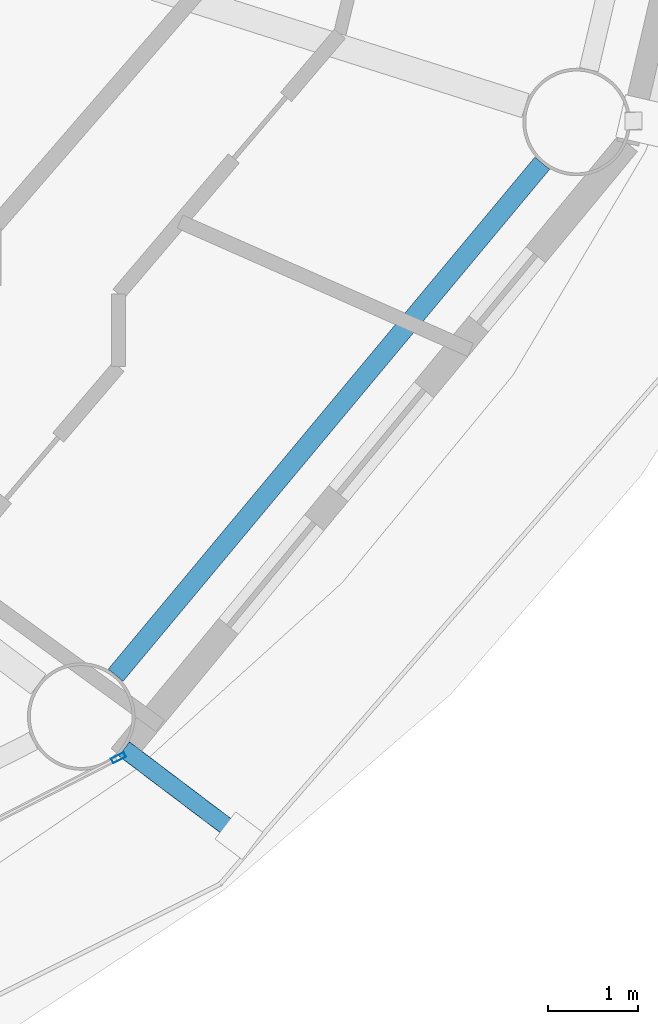
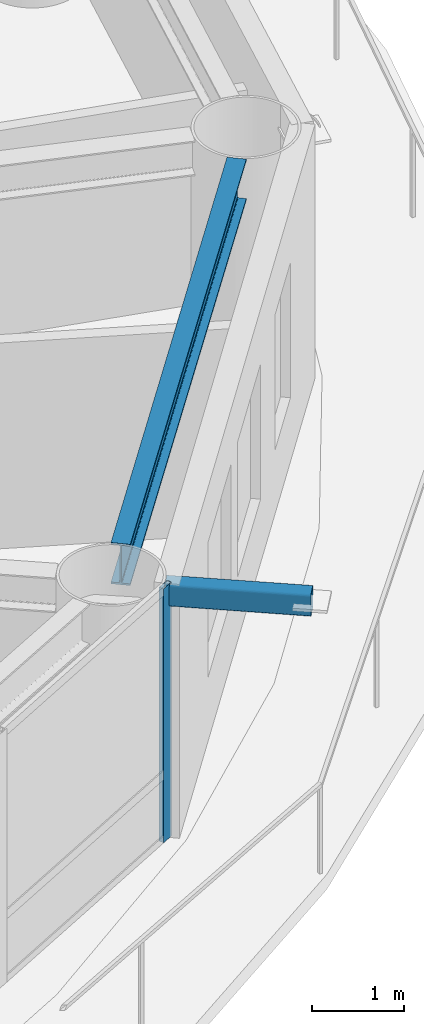
# One storey, part 7 of 28: 2 members, 1 beam, 1 element without a shape of its own.
"""IFC4 building model written with IfcOpenShell, lengths in metres."""

from ifc_helpers import new_model, si_unit, direction, frame, origin, origin_2d, place, context, subcontext, project, spatial, hollow_rectangle, i_section, extrude, material, layer, layer_set, material_profile, profile_set, type_object, element, aggregate, save


model = new_model("IFC4")

# Units and contexts
model_context = context("Model", 3, precision=1e-05, world=origin(), true_north=direction((0.0, 1.0)))
body_context = subcontext(model_context, "Body", "Model", "MODEL_VIEW")
ifc_project = project(units=[si_unit("LENGTHUNIT", "METRE"), si_unit("AREAUNIT", "SQUARE_METRE"), si_unit("VOLUMEUNIT", "CUBIC_METRE"), si_unit("PLANEANGLEUNIT", "RADIAN"), si_unit("MASSUNIT", "GRAM", prefix="KILO")], contexts=[model_context])

# Site, building, storey
site_placement = place(None, origin())
site = spatial("IfcSite", under=ifc_project, at=site_placement, CompositionType="ELEMENT")
building_placement = place(site_placement, origin())
building = spatial("IfcBuilding", under=site, at=building_placement, Name="Sarneth Arch Tower", CompositionType="ELEMENT")
storey_placement = place(building_placement, frame((0.0, 0.0, 179.39990234375)))
storey = spatial("IfcBuildingStorey", under=building, at=storey_placement, Name="L45", CompositionType="ELEMENT", Elevation=179.39990234375)

# Beam
ifc_material_1 = material(Name="Steel S355", Category="steel")
ifc_material_profile_1 = material_profile(ifc_material_1, i_section(OverallWidth=0.214111328125, OverallDepth=0.549072265625, WebThickness=0.0146484375, FlangeThickness=0.023681640625, FilletRadius=0.01806640625, at=origin_2d()), Name="W530x138")
ifc_profile_set_1 = profile_set([ifc_material_profile_1], Name="Steel S355")
beam_type = type_object("IfcBeamType", Name="BM-RAD-530A", PredefinedType="BEAM", material=ifc_profile_set_1)
beam_placement = place(storey_placement, frame((67.517822265625, 28.00048828125, 3.105712890625), z_axis=(0.640161793626, 0.768240117399, 0.0), x_axis=(-0.768240117399, 0.640161793626, 0.0)))
element("IfcBeam", 1, at=beam_placement, inside=storey, type_object=beam_type, Name="L45 Perimeter spandrel beam 15", PredefinedType="BEAM", context=body_context, shape_type="SweptSolid", body=[
    extrude(i_section(OverallWidth=0.214111328125, OverallDepth=0.549072265625, WebThickness=0.0146484375, FlangeThickness=0.023681640625, FilletRadius=0.01806640625, at=origin_2d()), origin(), (0.0, 0.0, 1.0), 7.43603515625),
])

# Curtain wall, member
ifc_material_2 = material(Name="Anodised aluminium Type AA25 and solar-control low-e laminated IGU", Category="aluminium")
ifc_layer = layer(ifc_material_2, 0.169921875)
ifc_layer_set = layer_set([ifc_layer], Name="Anodised aluminium Type AA25 and solar-control low-e laminated IGU")
curtain_wall_type = type_object("IfcCurtainWallType", Name="CW-RES-MID", PredefinedType="NOTDEFINED", material=ifc_layer_set)
curtain_wall_placement = place(storey_placement, origin())
curtain_wall = element("IfcCurtainWall", 2, at=curtain_wall_placement, inside=storey, type_object=curtain_wall_type, Name="L45 Unitised curtain wall facet 14", PredefinedType="NOTDEFINED")
ifc_material_3 = material(Name="Anodised Aluminium 6063-T6", Category="aluminium")
ifc_material_profile_2 = material_profile(ifc_material_3, hollow_rectangle(XDim=0.06005859375, YDim=0.159912109375, WallThickness=0.00390625, at=origin_2d()), Name="AL-MULL-160x60x4")
ifc_profile_set_2 = profile_set([ifc_material_profile_2], Name="Anodised Aluminium 6063-T6")
member_type_1 = type_object("IfcMemberType", Name="CW-MULLION", PredefinedType="MULLION", material=ifc_profile_set_2)
member_1_placement = place(storey_placement, frame((67.549560546875, 27.08056640625, 0.0), z_axis=(0.0, 0.0, 1.0), x_axis=(-0.456208470329, 0.88987293003, 0.0)))
member_1 = element("IfcMember", 3, at=member_1_placement, type_object=member_type_1, Name="CW-SYS-5 mullion 4", PredefinedType="MULLION", context=body_context, shape_type="SweptSolid", body=[
    extrude(hollow_rectangle(XDim=0.06005859375, YDim=0.159912109375, WallThickness=0.00390625, at=origin_2d()), origin(), (0.0, 0.0, 1.0), 3.380126953125),
])
aggregate(curtain_wall, [member_1])

# Member
ifc_material_4 = material(Name="Steel S355", Category="steel")
ifc_material_profile_3 = material_profile(ifc_material_4, hollow_rectangle(XDim=0.199951171875, YDim=0.300048828125, WallThickness=0.012451171875, InnerFilletRadius=0.018798828125, OuterFilletRadius=0.03125, at=origin_2d()), Name="RHS300x200x12.5")
ifc_profile_set_3 = profile_set([ifc_material_profile_3], Name="Steel S355")
member_type_2 = type_object("IfcMemberType", Name="MEM-CANT-STRUT", PredefinedType="STRUT", material=ifc_profile_set_3)
member_2_placement = place(storey_placement, frame((67.612548828125, 27.177978515625, 3.22021484375), z_axis=(0.797750304099, -0.602987937118, 0.0), x_axis=(0.602987937118, 0.797750304099, 0.0)))
element("IfcMember", 4, at=member_2_placement, inside=storey, type_object=member_type_2, Name="L45 Balcony cantilever bracket 15", PredefinedType="STRUT", context=body_context, shape_type="SweptSolid", body=[
    extrude(hollow_rectangle(XDim=0.199951171875, YDim=0.300048828125, WallThickness=0.012451171875, InnerFilletRadius=0.018798828125, OuterFilletRadius=0.03125, at=origin_2d()), origin(), (0.0, 0.0, 1.0), 1.605712890625),
])

save(model, "model.ifc")
